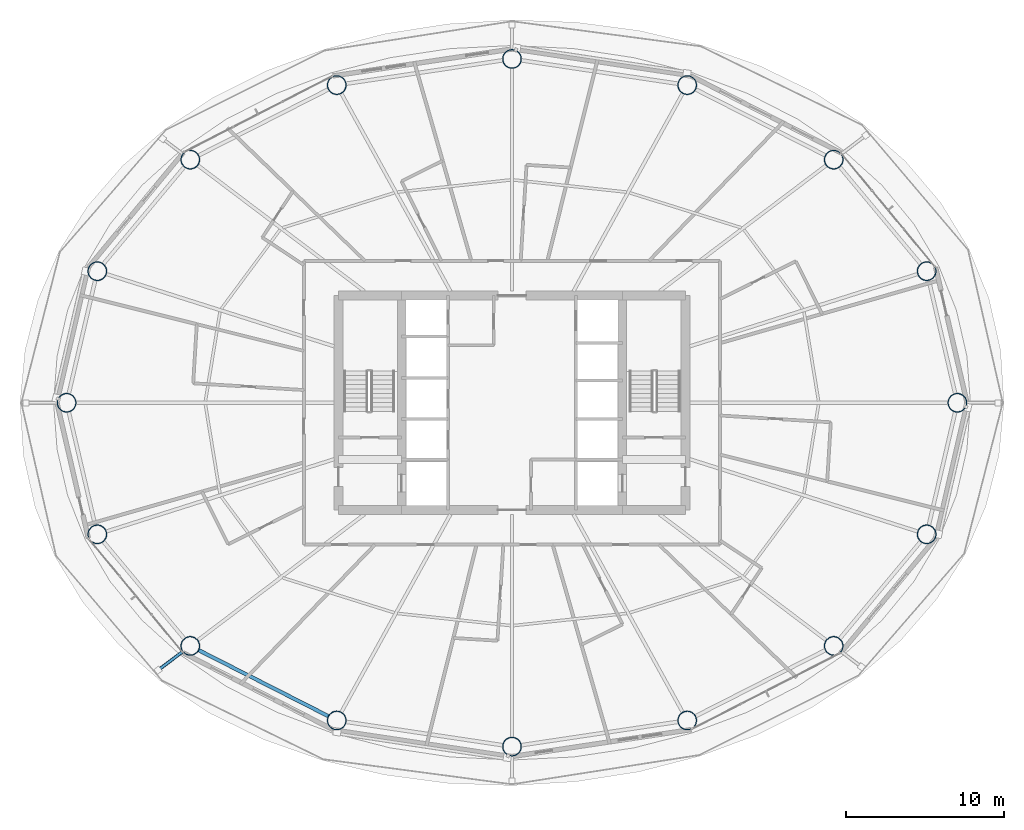
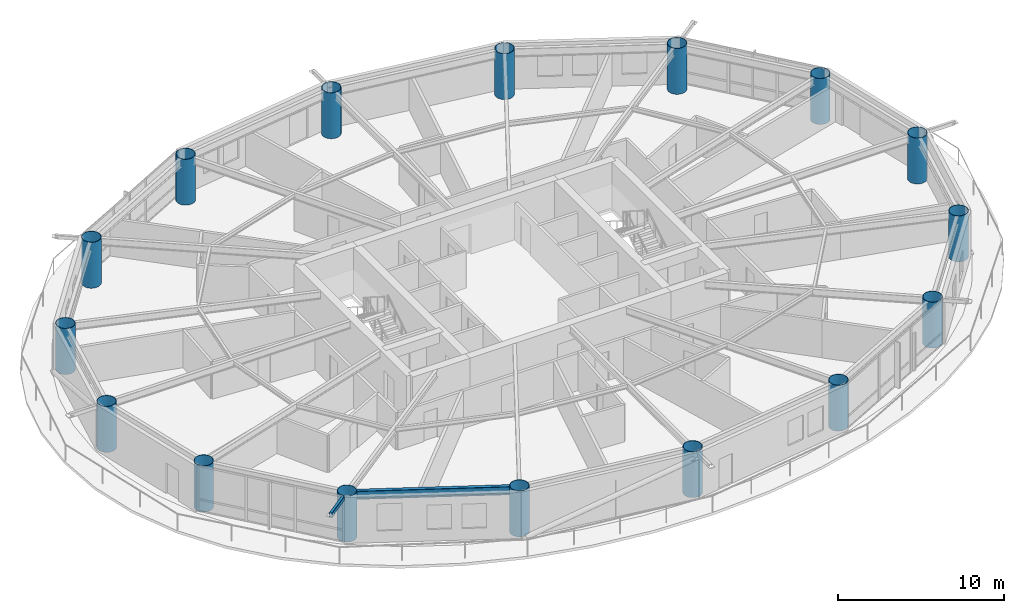
# One storey, part 1 of 24: 16 columns, 1 beam, 1 member.
"""IFC4 building model written with IfcOpenShell, lengths in metres."""

from ifc_helpers import new_model, si_unit, direction, frame, origin, origin_2d, place, context, subcontext, project, spatial, hollow_rectangle, hollow_circle, i_section, extrude, material, material_profile, profile_set, type_object, element, save


model = new_model("IFC4")

# Units and contexts
model_context = context("Model", 3, precision=1e-05, world=origin(), true_north=direction((0.0, 1.0)))
body_context = subcontext(model_context, "Body", "Model", "MODEL_VIEW")
ifc_project = project(units=[si_unit("LENGTHUNIT", "METRE"), si_unit("AREAUNIT", "SQUARE_METRE"), si_unit("VOLUMEUNIT", "CUBIC_METRE"), si_unit("PLANEANGLEUNIT", "RADIAN"), si_unit("MASSUNIT", "GRAM", prefix="KILO")], contexts=[model_context])

# Site, building, storey
site_placement = place(None, origin())
site = spatial("IfcSite", under=ifc_project, at=site_placement, CompositionType="ELEMENT")
building_placement = place(site_placement, origin())
building = spatial("IfcBuilding", under=site, at=building_placement, Name="Sarneth Arch Tower", CompositionType="ELEMENT")
storey_placement = place(building_placement, frame((0.0, 0.0, 98.39990234375)))
storey = spatial("IfcBuildingStorey", under=building, at=storey_placement, Name="L24", CompositionType="ELEMENT", Elevation=98.39990234375)

# Columns
ifc_material_1 = material(Name="Steel S355", Category="steel")
ifc_material_profile_1 = material_profile(ifc_material_1, hollow_circle(Radius=0.60009765625, WallThickness=0.031982421875, at=origin_2d()), Name="CHS1200x32")
ifc_profile_set_1 = profile_set([ifc_material_profile_1], Name="Steel S355")
column_type = type_object("IfcColumnType", Name="COL-MEGA-1200", PredefinedType="COLUMN", material=ifc_profile_set_1)
for number, where, z_axis, x_axis, name in (
    (1, (76.236572265625, 42.0, 0.0), (0.0, 0.0, 1.0), (1.0, 0.0, 0.0), "L24 Perimeter mega-column M01"),
    (2, (74.291259765625, 50.342529296875, 0.0), (0.0, 0.0, 1.0), (1.0, 0.0, 0.0), "L24 Perimeter mega-column M02"),
    (3, (68.397705078125, 57.4150390625, 0.0), (0.0, 0.0, 1.0), (1.0, 0.0, 0.0), "L24 Perimeter mega-column M03"),
    (4, (59.1103515625, 62.140625, 0.0), (0.0, 0.0, 1.0), (1.0, 0.0, 0.0), "L24 Perimeter mega-column M04"),
    (5, (48.0, 63.800048828125, 0.0), (0.0, 0.0, 1.0), (1.0, 0.0, 0.0), "L24 Perimeter mega-column M05"),
    (6, (36.8896484375, 62.140625, 0.0), (0.0, 0.0, 1.0), (1.0, 0.0, 0.0), "L24 Perimeter mega-column M06"),
    (7, (27.602294921875, 57.4150390625, 0.0), (0.0, 0.0, 1.0), (1.0, 0.0, 0.0), "L24 Perimeter mega-column M07"),
    (8, (21.708740234375, 50.342529296875, 0.0), (0.0, 0.0, 1.0), (1.0, 0.0, 0.0), "L24 Perimeter mega-column M08"),
    (9, (19.763427734375, 42.0, 0.0), (0.0, 0.0, 1.0), (1.0, 0.0, 0.0), "L24 Perimeter mega-column M09"),
    (10, (21.708740234375, 33.657470703125, 0.0), (0.0, 0.0, 1.0), (1.0, 0.0, 0.0), "L24 Perimeter mega-column M10"),
    (11, (27.602294921875, 26.5849609375, 0.0), (0.0, 0.0, 1.0), (1.0, 0.0, 0.0), "L24 Perimeter mega-column M11"),
    (12, (36.8896484375, 21.859375, 0.0), (0.0, 0.0, 1.0), (1.0, 0.0, 0.0), "L24 Perimeter mega-column M12"),
    (13, (48.0, 20.199951171875, 0.0), (0.0, 0.0, 1.0), (1.0, 0.0, 0.0), "L24 Perimeter mega-column M13"),
    (14, (59.1103515625, 21.859375, 0.0), (0.0, 0.0, 1.0), (1.0, 0.0, 0.0), "L24 Perimeter mega-column M14"),
    (15, (68.397705078125, 26.5849609375, 0.0), (0.0, 0.0, 1.0), (1.0, 0.0, 0.0), "L24 Perimeter mega-column M15"),
    (16, (74.291259765625, 33.657470703125, 0.0), (0.0, 0.0, 1.0), (1.0, 0.0, 0.0), "L24 Perimeter mega-column M16"),
):
    element("IfcColumn", number, at=place(storey_placement, frame(where, z_axis=z_axis, x_axis=x_axis)), inside=storey, type_object=column_type, Name=name, PredefinedType="COLUMN", context=body_context, shape_type="SweptSolid", body=[
        extrude(hollow_circle(Radius=0.60009765625, WallThickness=0.031982421875, at=origin_2d()), origin(), (0.0, 0.0, 1.0), 3.380126953125),
    ])

# Beam
ifc_material_2 = material(Name="Steel S355", Category="steel")
ifc_material_profile_2 = material_profile(ifc_material_2, i_section(OverallWidth=0.22900390625, OverallDepth=0.612060546875, WebThickness=0.011962890625, FlangeThickness=0.01953125, FilletRadius=0.01904296875, at=origin_2d()), Name="W610x125")
ifc_profile_set_2 = profile_set([ifc_material_profile_2], Name="Steel S355")
beam_type = type_object("IfcBeamType", Name="BM-SPAN-610C", PredefinedType="SPANDREL", material=ifc_profile_set_2)
beam_placement = place(storey_placement, frame((28.13720703125, 26.31298828125, 3.07421875), z_axis=(0.891259443414, -0.453493775619, 0.0), x_axis=(0.453493775619, 0.891259443414, 0.0)))
element("IfcBeam", 17, at=beam_placement, inside=storey, type_object=beam_type, Name="L24 Perimeter spandrel beam 11", PredefinedType="SPANDREL", context=body_context, shape_type="SweptSolid", body=[
    extrude(i_section(OverallWidth=0.22900390625, OverallDepth=0.612060546875, WebThickness=0.011962890625, FlangeThickness=0.01953125, FilletRadius=0.01904296875, at=origin_2d()), origin(), (0.0, 0.0, 1.0), 9.220458984375),
])

# Member
ifc_material_3 = material(Name="Steel S355", Category="steel")
ifc_material_profile_3 = material_profile(ifc_material_3, hollow_rectangle(XDim=0.199951171875, YDim=0.300048828125, WallThickness=0.012451171875, InnerFilletRadius=0.018798828125, OuterFilletRadius=0.03125, at=origin_2d()), Name="RHS300x200x12.5")
ifc_profile_set_3 = profile_set([ifc_material_profile_3], Name="Steel S355")
member_type = type_object("IfcMemberType", Name="MEM-CANT-STRUT", PredefinedType="STRUT", material=ifc_profile_set_3)
member_placement = place(storey_placement, frame((27.123779296875, 26.223388671875, 3.22021484375), z_axis=(-0.79780314413, -0.602918023629, 0.0), x_axis=(0.602918023629, -0.79780314413, 0.0)))
element("IfcMember", 18, at=member_placement, inside=storey, type_object=member_type, Name="L24 Balcony cantilever bracket 11", PredefinedType="STRUT", context=body_context, shape_type="SweptSolid", body=[
    extrude(hollow_rectangle(XDim=0.199951171875, YDim=0.300048828125, WallThickness=0.012451171875, InnerFilletRadius=0.018798828125, OuterFilletRadius=0.03125, at=origin_2d()), origin(), (0.0, 0.0, 1.0), 1.95166015625),
])

save(model, "model.ifc")
